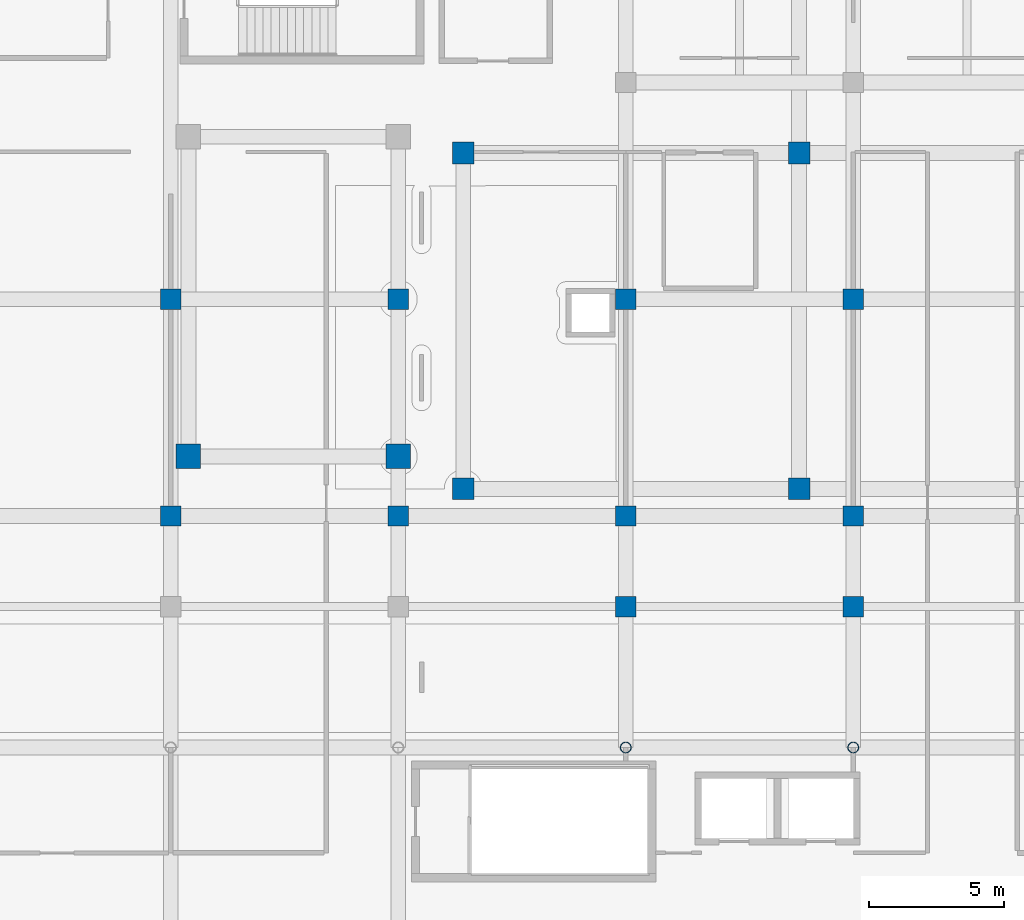
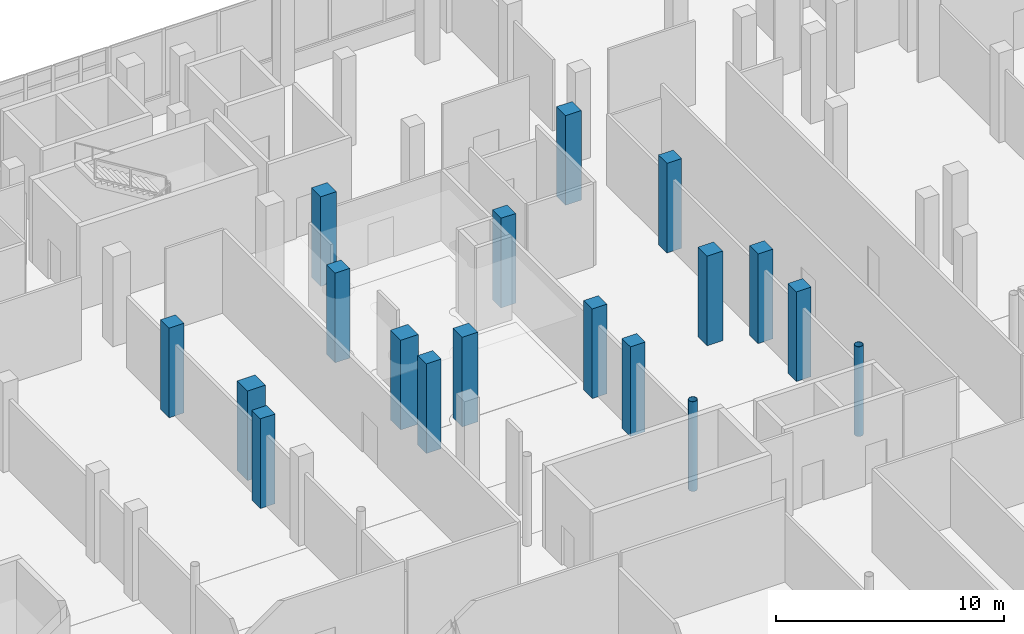
# One storey, part 8 of 155: 18 columns.
"""IFC4 building model written with IfcOpenShell, lengths in metres."""

from ifc_helpers import new_model, si_unit, direction, frame, origin, origin_2d, place, context, subcontext, project, spatial, rectangle, hollow_circle, extrude, material, material_profile, profile_set, type_object, element, save


model = new_model("IFC4")

# Units and contexts
model_context = context("Model", 3, precision=1e-05, world=origin(), true_north=direction((0.0, 1.0)))
body_context = subcontext(model_context, "Body", "Model", "MODEL_VIEW")
ifc_project = project(units=[si_unit("LENGTHUNIT", "METRE"), si_unit("AREAUNIT", "SQUARE_METRE"), si_unit("VOLUMEUNIT", "CUBIC_METRE"), si_unit("PLANEANGLEUNIT", "RADIAN"), si_unit("MASSUNIT", "GRAM", prefix="KILO")], contexts=[model_context])

# Site, building, storey
site_placement = place(None, origin())
site = spatial("IfcSite", under=ifc_project, at=site_placement, CompositionType="ELEMENT")
building_placement = place(site_placement, origin())
building = spatial("IfcBuilding", under=site, at=building_placement, Name="Selatvlak General Hospital", CompositionType="ELEMENT")
storey_placement = place(building_placement, frame((0.0, 0.0, 10.199951171875)))
storey = spatial("IfcBuildingStorey", under=building, at=storey_placement, Name="L02", CompositionType="ELEMENT", Elevation=10.199951171875)

# Columns
ifc_material_1 = material(Name="Steel S355", Category="steel")
ifc_material_profile_1 = material_profile(ifc_material_1, hollow_circle(Radius=0.203125, WallThickness=0.01611328125, at=origin_2d()), Name="CHS 406.4x16")
ifc_profile_set_1 = profile_set([ifc_material_profile_1], Name="Steel S355")
column_type_1 = type_object("IfcColumnType", Name="COL-CHS406", PredefinedType="COLUMN", material=ifc_profile_set_1)
for number, where, z_axis, x_axis, name in (
    (1, (64.800048828125, 83.449951171875, 0.0), (0.0, 0.0, 1.0), (1.0, 0.0, 0.0), "Column 018 on L02"),
    (2, (73.199951171875, 83.449951171875, 0.0), (0.0, 0.0, 1.0), (1.0, 0.0, 0.0), "Column 021 on L02"),
):
    element("IfcColumn", number, at=place(storey_placement, frame(where, z_axis=z_axis, x_axis=x_axis)), inside=storey, type_object=column_type_1, Name=name, PredefinedType="COLUMN", context=body_context, shape_type="SweptSolid", body=[
        extrude(hollow_circle(Radius=0.203125, WallThickness=0.01611328125, at=origin_2d()), origin(), (0.0, 0.0, 1.0), 4.800048828125),
    ])
ifc_material_2 = material(Name="Concrete C50/60", Category="concrete")
ifc_material_profile_2 = material_profile(ifc_material_2, rectangle(XDim=0.75, YDim=0.75, at=origin_2d()), Name="RC-COL 750x750")
ifc_profile_set_2 = profile_set([ifc_material_profile_2], Name="Concrete C50/60")
column_type_2 = type_object("IfcColumnType", Name="COL-RC75", PredefinedType="COLUMN", material=ifc_profile_set_2)
for number, where, z_axis, x_axis, name in (
    (3, (48.0, 92.0, 0.0), (0.0, 0.0, 1.0), (1.0, 0.0, 0.0), "Column 178 on L02"),
    (4, (48.0, 100.0, 0.0), (0.0, 0.0, 1.0), (1.0, 0.0, 0.0), "Column 179 on L02"),
    (5, (56.39990234375, 92.0, 0.0), (0.0, 0.0, 1.0), (1.0, 0.0, 0.0), "Column 182 on L02"),
    (6, (56.39990234375, 100.0, 0.0), (0.0, 0.0, 1.0), (1.0, 0.0, 0.0), "Column 183 on L02"),
    (7, (64.800048828125, 88.64990234375, 0.0), (0.0, 0.0, 1.0), (1.0, 0.0, 0.0), "Column 186 on L02"),
    (8, (64.800048828125, 92.0, 0.0), (0.0, 0.0, 1.0), (1.0, 0.0, 0.0), "Column 187 on L02"),
    (9, (64.800048828125, 100.0, 0.0), (0.0, 0.0, 1.0), (1.0, 0.0, 0.0), "Column 188 on L02"),
    (10, (73.199951171875, 88.64990234375, 0.0), (0.0, 0.0, 1.0), (1.0, 0.0, 0.0), "Column 192 on L02"),
    (11, (73.199951171875, 92.0, 0.0), (0.0, 0.0, 1.0), (1.0, 0.0, 0.0), "Column 193 on L02"),
    (12, (73.199951171875, 100.0, 0.0), (0.0, 0.0, 1.0), (1.0, 0.0, 0.0), "Column 194 on L02"),
):
    element("IfcColumn", number, at=place(storey_placement, frame(where, z_axis=z_axis, x_axis=x_axis)), inside=storey, type_object=column_type_2, Name=name, PredefinedType="COLUMN", context=body_context, shape_type="SweptSolid", body=[
        extrude(rectangle(XDim=0.75, YDim=0.75, at=origin_2d()), origin(), (0.0, 0.0, 1.0), 4.800048828125),
    ])
ifc_material_profile_3 = material_profile(ifc_material_2, rectangle(XDim=0.800048828125, YDim=0.800048828125, at=origin_2d()), Name="RC-COL 800x800")
ifc_profile_set_3 = profile_set([ifc_material_profile_3], Name="Concrete C50/60")
column_type_3 = type_object("IfcColumnType", Name="COL-RC80", PredefinedType="COLUMN", material=ifc_profile_set_3)
for number, where, z_axis, x_axis, name in (
    (13, (58.800048828125, 93.0, 0.0), (0.0, 0.0, 1.0), (1.0, 0.0, 0.0), "Column 037 on L02"),
    (14, (58.800048828125, 105.39990234375, 0.0), (0.0, 0.0, 1.0), (1.0, 0.0, 0.0), "Column 038 on L02"),
    (15, (71.199951171875, 93.0, 0.0), (0.0, 0.0, 1.0), (1.0, 0.0, 0.0), "Column 040 on L02"),
    (16, (71.199951171875, 105.39990234375, 0.0), (0.0, 0.0, 1.0), (1.0, 0.0, 0.0), "Column 041 on L02"),
):
    element("IfcColumn", number, at=place(storey_placement, frame(where, z_axis=z_axis, x_axis=x_axis)), inside=storey, type_object=column_type_3, Name=name, PredefinedType="COLUMN", context=body_context, shape_type="SweptSolid", body=[
        extrude(rectangle(XDim=0.800048828125, YDim=0.800048828125, at=origin_2d()), origin(), (0.0, 0.0, 1.0), 4.800048828125),
    ])
ifc_material_profile_4 = material_profile(ifc_material_2, rectangle(XDim=0.89990234375, YDim=0.89990234375, at=origin_2d()), Name="RC-COL 900x900")
ifc_profile_set_4 = profile_set([ifc_material_profile_4], Name="Concrete C50/60")
column_type_4 = type_object("IfcColumnType", Name="COL-RC90", PredefinedType="COLUMN", material=ifc_profile_set_4)
for number, where, z_axis, x_axis, name in (
    (17, (48.64990234375, 94.199951171875, 0.0), (0.0, 0.0, 1.0), (1.0, 0.0, 0.0), "Column 046 on L02"),
    (18, (56.39990234375, 94.199951171875, 0.0), (0.0, 0.0, 1.0), (1.0, 0.0, 0.0), "Column 047 on L02"),
):
    element("IfcColumn", number, at=place(storey_placement, frame(where, z_axis=z_axis, x_axis=x_axis)), inside=storey, type_object=column_type_4, Name=name, PredefinedType="COLUMN", context=body_context, shape_type="SweptSolid", body=[
        extrude(rectangle(XDim=0.89990234375, YDim=0.89990234375, at=origin_2d()), origin(), (0.0, 0.0, 1.0), 4.800048828125),
    ])

save(model, "model.ifc")
